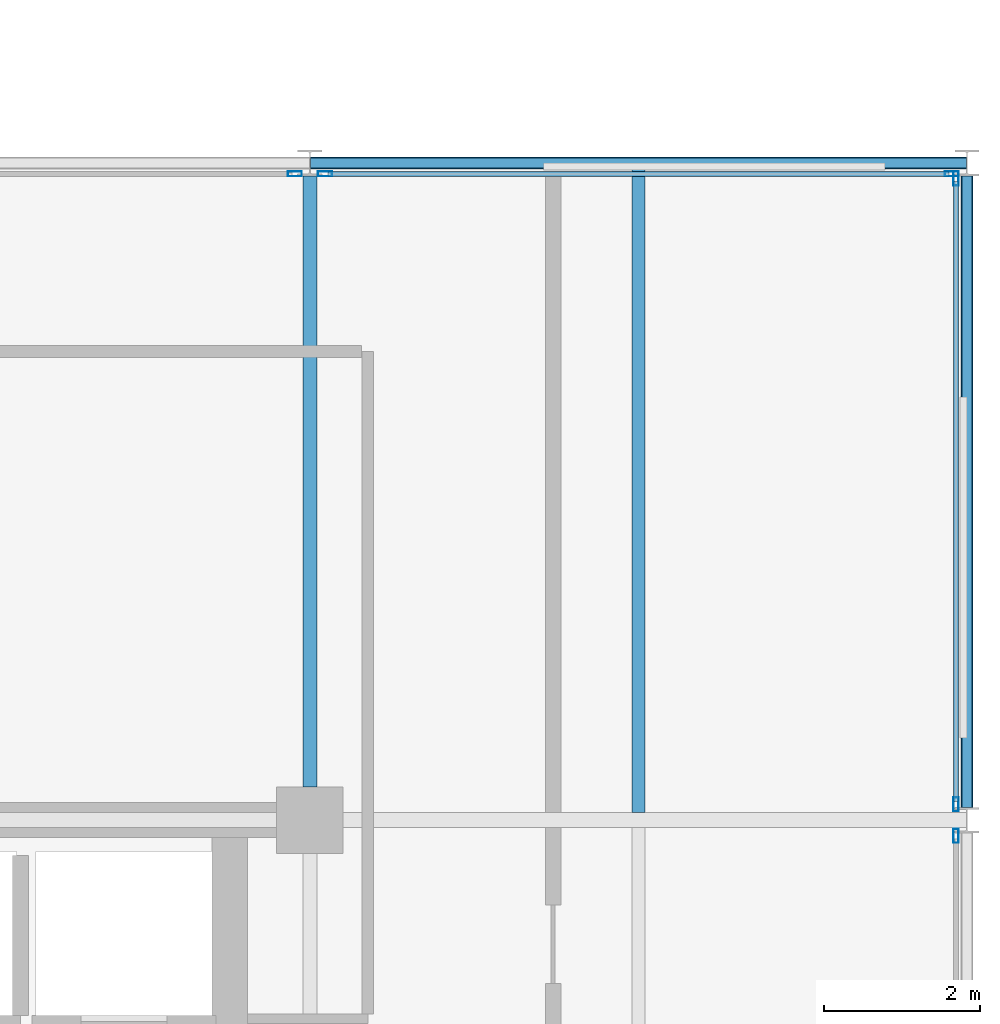
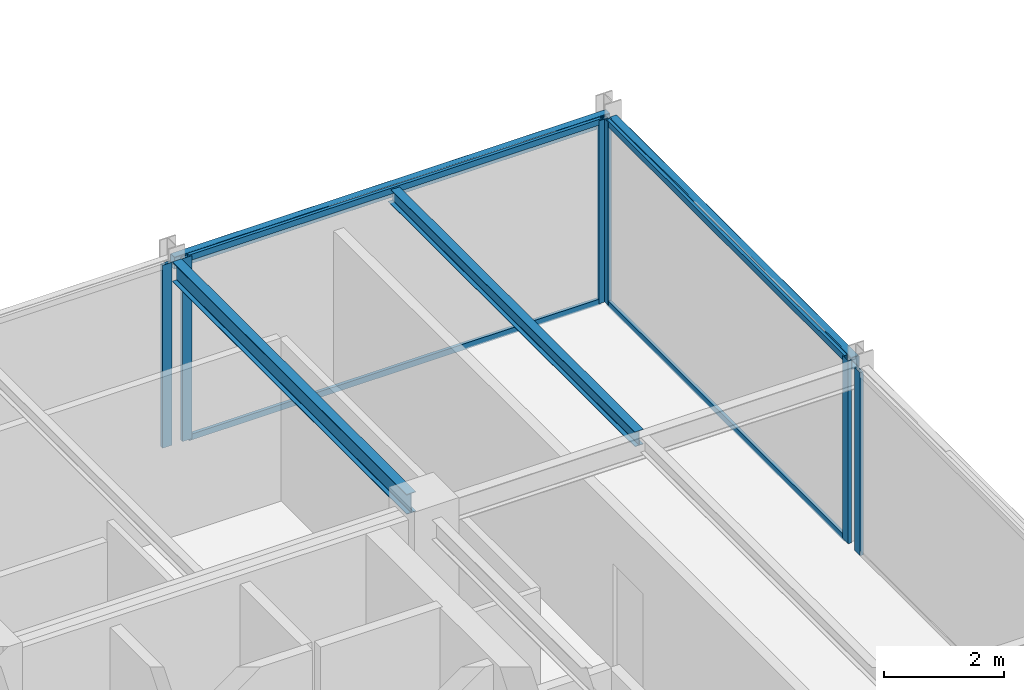
# One storey, part 16 of 26: 10 members, 4 beams, 4 elements without a shape of their own.
"""IFC4 building model written with IfcOpenShell, lengths in metres."""

from ifc_helpers import new_model, si_unit, direction, frame, origin, origin_2d, place, context, subcontext, project, spatial, hollow_rectangle, i_section, extrude, material, layer, layer_set, material_profile, profile_set, type_object, element, aggregate, save


model = new_model("IFC4")

# Units and contexts
model_context = context("Model", 3, precision=1e-05, world=origin(), true_north=direction((0.0, 1.0)))
body_context = subcontext(model_context, "Body", "Model", "MODEL_VIEW")
ifc_project = project(units=[si_unit("LENGTHUNIT", "METRE"), si_unit("AREAUNIT", "SQUARE_METRE"), si_unit("VOLUMEUNIT", "CUBIC_METRE"), si_unit("PLANEANGLEUNIT", "RADIAN"), si_unit("MASSUNIT", "GRAM", prefix="KILO")], contexts=[model_context])

# Site, building, storey
site_placement = place(None, origin())
site = spatial("IfcSite", under=ifc_project, at=site_placement, CompositionType="ELEMENT")
building_placement = place(site_placement, origin())
building = spatial("IfcBuilding", under=site, at=building_placement, Name="Nerrivon Quay Data Exchange", CompositionType="ELEMENT")
storey_placement = place(building_placement, frame((0.0, 0.0, 274.199951171875)))
storey = spatial("IfcBuildingStorey", under=building, at=storey_placement, Name="L65", CompositionType="ELEMENT", Elevation=274.199951171875)

# Beams
ifc_material_1 = material(Name="Steel Grade 350", Category="steel")
ifc_material_profile_1 = material_profile(ifc_material_1, i_section(OverallWidth=0.177978515625, OverallDepth=0.406005859375, WebThickness=0.0078125, FlangeThickness=0.0126953125, FilletRadius=0.011474609375, at=origin_2d()), Name="410UB59.7")
ifc_profile_set_1 = profile_set([ifc_material_profile_1], Name="Steel Grade 350")
beam_type_1 = type_object("IfcBeamType", Name="BM-J1-410UB60", PredefinedType="JOIST", material=ifc_profile_set_1)
beam_1_placement = place(storey_placement, frame((33.60009765625, 17.22509765625, 3.52197265625), z_axis=(0.0, 1.0, 0.0), x_axis=(-1.0, 0.0, 0.0)))
element("IfcBeam", 1, at=beam_1_placement, inside=storey, type_object=beam_type_1, Name="L65 NS Girder X=33.6 (16.8..25.2)", PredefinedType="JOIST", context=body_context, shape_type="SweptSolid", body=[
    extrude(i_section(OverallWidth=0.177978515625, OverallDepth=0.406005859375, WebThickness=0.0078125, FlangeThickness=0.0126953125, FilletRadius=0.011474609375, at=origin_2d()), origin(), (0.0, 0.0, 1.0), 7.8115234375),
])
ifc_material_profile_2 = material_profile(ifc_material_1, i_section(OverallWidth=0.1650390625, OverallDepth=0.303955078125, WebThickness=0.006103515625, FlangeThickness=0.01025390625, FilletRadius=0.011474609375, at=origin_2d()), Name="310UB40.4")
ifc_profile_set_2 = profile_set([ifc_material_profile_2], Name="Steel Grade 350")
beam_type_2 = type_object("IfcBeamType", Name="BM-J6-310UB40", PredefinedType="JOIST", material=ifc_profile_set_2)
beam_2_placement = place(storey_placement, frame((37.800048828125, 16.89501953125, 3.572998046875), z_axis=(0.0, 1.0, 0.0), x_axis=(-1.0, 0.0, 0.0)))
element("IfcBeam", 2, at=beam_2_placement, inside=storey, type_object=beam_type_2, Name="L65 Secondary Joist X=37.8 (16.8..25.2)", PredefinedType="JOIST", context=body_context, shape_type="SweptSolid", body=[
    extrude(i_section(OverallWidth=0.1650390625, OverallDepth=0.303955078125, WebThickness=0.006103515625, FlangeThickness=0.01025390625, FilletRadius=0.011474609375, at=origin_2d()), origin(), (0.0, 0.0, 1.0), 8.22998046875),
])
ifc_material_2 = material(Name="Steel Grade C350L0 (350 MPa)", Category="steel")
ifc_material_profile_3 = material_profile(ifc_material_2, hollow_rectangle(XDim=0.14990234375, YDim=0.25, WallThickness=0.009033203125, InnerFilletRadius=0.013427734375, OuterFilletRadius=0.0224609375, at=origin_2d()), Name="250x150x9.0RHS")
ifc_profile_set_3 = profile_set([ifc_material_profile_3], Name="Steel Grade C350L0 (350 MPa)")
beam_type_3 = type_object("IfcBeamType", Name="BM-SP4-250x150RHS", PredefinedType="SPANDREL", material=ifc_profile_set_3)
beam_3_placement = place(storey_placement, frame((33.60791015625, 25.199951171875, 3.60009765625), z_axis=(1.0, 0.0, 0.0), x_axis=(0.0, 1.0, 0.0)))
element("IfcBeam", 3, at=beam_3_placement, inside=storey, type_object=beam_type_3, Name="L65 EW Girder Y=25.2 (33.6..42.0)", PredefinedType="SPANDREL", context=body_context, shape_type="SweptSolid", body=[
    extrude(hollow_rectangle(XDim=0.14990234375, YDim=0.25, WallThickness=0.009033203125, InnerFilletRadius=0.013427734375, OuterFilletRadius=0.0224609375, at=origin_2d()), origin(), (0.0, 0.0, 1.0), 8.38427734375),
])
beam_4_placement = place(storey_placement, frame((42.0, 16.96337890625, 3.60009765625), z_axis=(0.0, 1.0, 0.0), x_axis=(-1.0, 0.0, 0.0)))
element("IfcBeam", 4, at=beam_4_placement, inside=storey, type_object=beam_type_3, Name="L65 NS Girder X=42.0 (16.8..25.2)", PredefinedType="SPANDREL", context=body_context, shape_type="SweptSolid", body=[
    extrude(hollow_rectangle(XDim=0.14990234375, YDim=0.25, WallThickness=0.009033203125, InnerFilletRadius=0.013427734375, OuterFilletRadius=0.0224609375, at=origin_2d()), origin(), (0.0, 0.0, 1.0), 8.0732421875),
])

# Curtain wall, member
ifc_material_3 = material(Name="Anodised aluminium 6063-T6", Category="aluminium")
ifc_layer = layer(ifc_material_3, 0.195068359375)
ifc_layer_set = layer_set([ifc_layer], Name="Anodised aluminium 6063-T6")
curtain_wall_type = type_object("IfcCurtainWallType", Name="CW-SYS-06", PredefinedType="NOTDEFINED", material=ifc_layer_set)
curtain_wall_1_placement = place(storey_placement, origin())
curtain_wall_1 = element("IfcCurtainWall", 5, at=curtain_wall_1_placement, inside=storey, type_object=curtain_wall_type, Name="L65 Unitised Curtain Wall 24", PredefinedType="NOTDEFINED")
ifc_material_profile_4 = material_profile(ifc_material_3, hollow_rectangle(XDim=0.06494140625, YDim=0.179931640625, WallThickness=0.00341796875, at=origin_2d()), Name="ALU-MULL-180x65")
ifc_profile_set_4 = profile_set([ifc_material_profile_4], Name="Anodised aluminium 6063-T6")
member_type_1 = type_object("IfcMemberType", Name="CWM-180x65", PredefinedType="MULLION", material=ifc_profile_set_4)
member_1_placement = place(storey_placement, frame((33.406982421875, 25.06005859375, 0.0), z_axis=(0.0, 0.0, 1.0), x_axis=(0.0, 1.0, 0.0)))
member_1 = element("IfcMember", 6, at=member_1_placement, type_object=member_type_1, Name="CW06 mullion 2", PredefinedType="MULLION", context=body_context, shape_type="SweptSolid", body=[
    extrude(hollow_rectangle(XDim=0.06494140625, YDim=0.179931640625, WallThickness=0.00341796875, at=origin_2d()), origin(), (0.0, 0.0, 1.0), 3.72509765625),
])
aggregate(curtain_wall_1, [member_1])

# Curtain wall, members
curtain_wall_2_placement = place(storey_placement, origin())
curtain_wall_2 = element("IfcCurtainWall", 7, at=curtain_wall_2_placement, inside=storey, type_object=curtain_wall_type, Name="L65 Unitised Curtain Wall 25", PredefinedType="NOTDEFINED")
member_2_placement = place(storey_placement, frame((33.79296875, 25.06005859375, 0.0), z_axis=(0.0, 0.0, 1.0), x_axis=(0.0, 1.0, 0.0)))
member_2 = element("IfcMember", 8, at=member_2_placement, type_object=member_type_1, Name="CW06 mullion 1", PredefinedType="MULLION", context=body_context, shape_type="SweptSolid", body=[
    extrude(hollow_rectangle(XDim=0.06494140625, YDim=0.179931640625, WallThickness=0.00341796875, at=origin_2d()), origin(), (0.0, 0.0, 1.0), 3.72509765625),
])
member_3_placement = place(storey_placement, frame((41.806884765625, 25.06005859375, 0.0), z_axis=(0.0, 0.0, 1.0), x_axis=(0.0, 1.0, 0.0)))
member_3 = element("IfcMember", 9, at=member_3_placement, type_object=member_type_1, Name="CW06 mullion 2", PredefinedType="MULLION", context=body_context, shape_type="SweptSolid", body=[
    extrude(hollow_rectangle(XDim=0.06494140625, YDim=0.179931640625, WallThickness=0.00341796875, at=origin_2d()), origin(), (0.0, 0.0, 1.0), 3.72509765625),
])

curtain_wall_3_placement = place(storey_placement, origin())
curtain_wall_3 = element("IfcCurtainWall", 10, at=curtain_wall_3_placement, inside=storey, type_object=curtain_wall_type, Name="L65 Unitised Curtain Wall 26", PredefinedType="NOTDEFINED")
member_4_placement = place(storey_placement, frame((41.860107421875, 24.9990234375, 0.0), z_axis=(0.0, 0.0, 1.0), x_axis=(1.0, 0.0, 0.0)))
member_4 = element("IfcMember", 11, at=member_4_placement, type_object=member_type_1, Name="CW06 mullion 1", PredefinedType="MULLION", context=body_context, shape_type="SweptSolid", body=[
    extrude(hollow_rectangle(XDim=0.06494140625, YDim=0.179931640625, WallThickness=0.00341796875, at=origin_2d()), origin(), (0.0, 0.0, 1.0), 3.72509765625),
])
member_5_placement = place(storey_placement, frame((41.860107421875, 17.0009765625, 0.0), z_axis=(0.0, 0.0, 1.0), x_axis=(1.0, 0.0, 0.0)))
member_5 = element("IfcMember", 12, at=member_5_placement, type_object=member_type_1, Name="CW06 mullion 2", PredefinedType="MULLION", context=body_context, shape_type="SweptSolid", body=[
    extrude(hollow_rectangle(XDim=0.06494140625, YDim=0.179931640625, WallThickness=0.00341796875, at=origin_2d()), origin(), (0.0, 0.0, 1.0), 3.72509765625),
])

# Curtain wall, member
curtain_wall_4_placement = place(storey_placement, origin())
curtain_wall_4 = element("IfcCurtainWall", 13, at=curtain_wall_4_placement, inside=storey, type_object=curtain_wall_type, Name="L65 Unitised Curtain Wall 27", PredefinedType="NOTDEFINED")
member_6_placement = place(storey_placement, frame((41.860107421875, 16.59912109375, 0.0), z_axis=(0.0, 0.0, 1.0), x_axis=(1.0, 0.0, 0.0)))
member_6 = element("IfcMember", 14, at=member_6_placement, type_object=member_type_1, Name="CW06 mullion 1", PredefinedType="MULLION", context=body_context, shape_type="SweptSolid", body=[
    extrude(hollow_rectangle(XDim=0.06494140625, YDim=0.179931640625, WallThickness=0.00341796875, at=origin_2d()), origin(), (0.0, 0.0, 1.0), 3.72509765625),
])
aggregate(curtain_wall_4, [member_6])

# Member
ifc_material_profile_5 = material_profile(ifc_material_3, hollow_rectangle(XDim=0.06005859375, YDim=0.1201171875, WallThickness=0.003173828125, at=origin_2d()), Name="ALU-TRAN-120x60")
ifc_profile_set_5 = profile_set([ifc_material_profile_5], Name="Anodised aluminium 6063-T6")
member_type_2 = type_object("IfcMemberType", Name="CWT-120x60", PredefinedType="USERDEFINED", material=ifc_profile_set_5)
member_7_placement = place(storey_placement, frame((33.83056640625, 25.06005859375, 0.032470703125), z_axis=(1.0, 0.0, 0.0), x_axis=(0.0, 1.0, 0.0)))
member_7 = element("IfcMember", 15, at=member_7_placement, type_object=member_type_2, Name="CW06 transom 1.1", ObjectType="TRANSOM", PredefinedType="USERDEFINED", context=body_context, shape_type="SweptSolid", body=[
    extrude(hollow_rectangle(XDim=0.06005859375, YDim=0.1201171875, WallThickness=0.003173828125, at=origin_2d()), origin(), (0.0, 0.0, 1.0), 7.93896484375),
])

member_8_placement = place(storey_placement, frame((33.83056640625, 25.06005859375, 3.692626953125), z_axis=(1.0, 0.0, 0.0), x_axis=(0.0, 1.0, 0.0)))
member_8 = element("IfcMember", 16, at=member_8_placement, type_object=member_type_2, Name="CW06 transom 1.2", ObjectType="TRANSOM", PredefinedType="USERDEFINED", context=body_context, shape_type="SweptSolid", body=[
    extrude(hollow_rectangle(XDim=0.06005859375, YDim=0.1201171875, WallThickness=0.003173828125, at=origin_2d()), origin(), (0.0, 0.0, 1.0), 7.93896484375),
])

aggregate(curtain_wall_2, [member_2, member_3, member_7, member_8])

member_9_placement = place(storey_placement, frame((41.860107421875, 24.96142578125, 0.032470703125), z_axis=(0.0, -1.0, 0.0), x_axis=(1.0, 0.0, 0.0)))
member_9 = element("IfcMember", 17, at=member_9_placement, type_object=member_type_2, Name="CW06 transom 1.1", ObjectType="TRANSOM", PredefinedType="USERDEFINED", context=body_context, shape_type="SweptSolid", body=[
    extrude(hollow_rectangle(XDim=0.06005859375, YDim=0.1201171875, WallThickness=0.003173828125, at=origin_2d()), origin(), (0.0, 0.0, 1.0), 7.9228515625),
])

member_10_placement = place(storey_placement, frame((41.860107421875, 24.96142578125, 3.692626953125), z_axis=(0.0, -1.0, 0.0), x_axis=(1.0, 0.0, 0.0)))
member_10 = element("IfcMember", 18, at=member_10_placement, type_object=member_type_2, Name="CW06 transom 1.2", ObjectType="TRANSOM", PredefinedType="USERDEFINED", context=body_context, shape_type="SweptSolid", body=[
    extrude(hollow_rectangle(XDim=0.06005859375, YDim=0.1201171875, WallThickness=0.003173828125, at=origin_2d()), origin(), (0.0, 0.0, 1.0), 7.9228515625),
])

aggregate(curtain_wall_3, [member_4, member_5, member_9, member_10])

save(model, "model.ifc")
